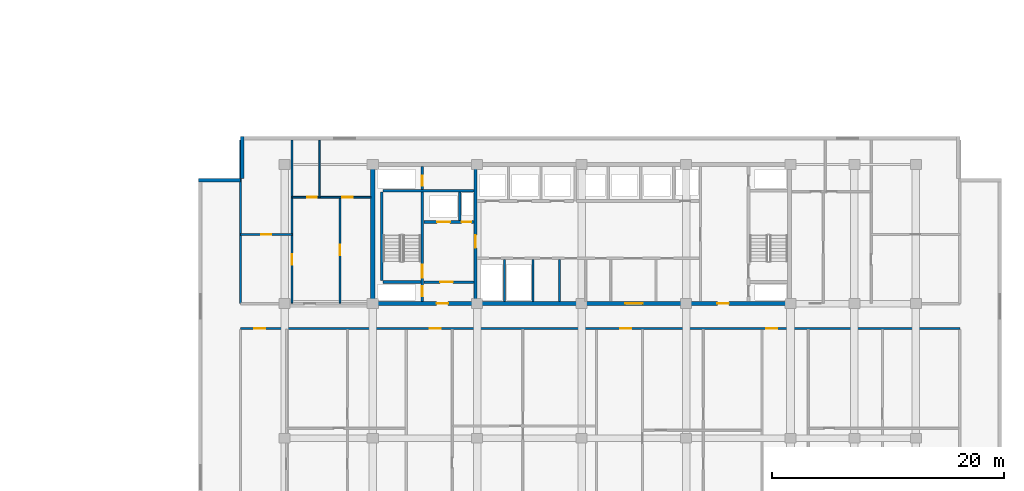
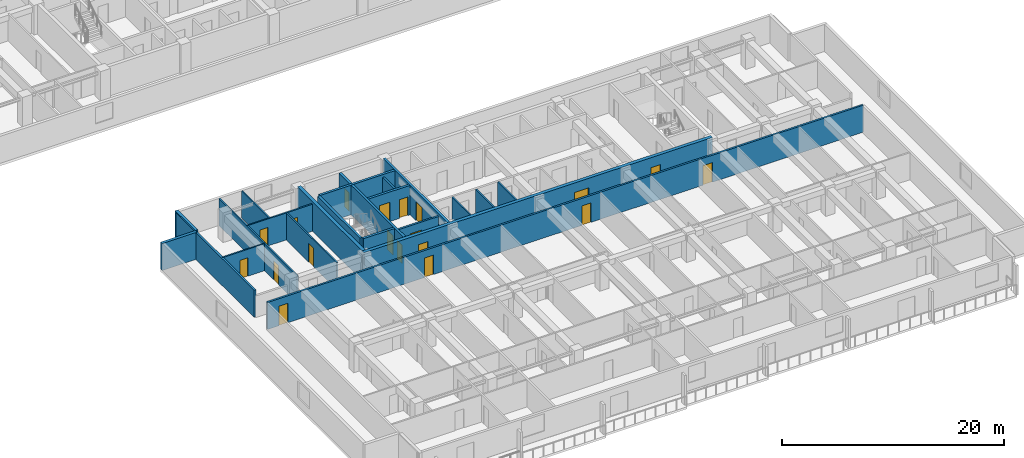
# One storey, part 6 of 23: 22 walls, 19 doors, 19 openings.
"""IFC4 building model written with IfcOpenShell, lengths in metres."""

from ifc_helpers import new_model, si_unit, direction, frame, frame_2d, origin, place, context, subcontext, project, spatial, rectangle, extrude, material, layer, layer_set, type_object, element, fill, save


model = new_model("IFC4")

# Units and contexts
model_context = context("Model", 3, precision=1e-05, world=origin(), true_north=direction((0.0, 1.0)))
body_context = subcontext(model_context, "Body", "Model", "MODEL_VIEW")
ifc_project = project(units=[si_unit("LENGTHUNIT", "METRE"), si_unit("AREAUNIT", "SQUARE_METRE"), si_unit("VOLUMEUNIT", "CUBIC_METRE"), si_unit("PLANEANGLEUNIT", "RADIAN"), si_unit("MASSUNIT", "GRAM", prefix="KILO")], contexts=[model_context])

# Site, building, storey
site_placement = place(None, origin())
site = spatial("IfcSite", under=ifc_project, at=site_placement, CompositionType="ELEMENT")
building_placement = place(site_placement, origin())
building = spatial("IfcBuilding", under=site, at=building_placement, Name="Korimba Cascade Residences", CompositionType="ELEMENT")
storey_placement = place(building_placement, frame((0.0, 0.0, 37.0)))
storey = spatial("IfcBuildingStorey", under=building, at=storey_placement, Name="L09", CompositionType="ELEMENT", Elevation=37.0)

# Walls
ifc_material_1 = material(Name="Precast concrete C40/50", Category="concrete")
ifc_layer_1 = layer(ifc_material_1, 0.300048828125)
ifc_layer_set_1 = layer_set([ifc_layer_1], Name="Precast concrete C40/50")
wall_type_1 = type_object("IfcWallType", Name="EW-STONE-300", PredefinedType="STANDARD", material=ifc_layer_set_1)
wall_1_placement = place(storey_placement, frame((70.85009765625, 32.800048828125, 0.0), z_axis=(0.0, 0.0, 1.0), x_axis=(0.0, -1.0, 0.0)))
element("IfcWall", 1, at=wall_1_placement, inside=storey, type_object=wall_type_1, Name="L09 T2 Perimeter Stone Wall E07", PredefinedType="STANDARD", context=body_context, shape_type="SweptSolid", body=[
    extrude(rectangle(XDim=3.60009765625, YDim=0.300048828125, at=frame_2d((1.800048828125, 0.0))), origin(), (0.0, 0.0, 1.0), 2.969970703125),
])
wall_2_placement = place(storey_placement, frame((70.699951171875, 29.050048828125, 0.0), z_axis=(0.0, 0.0, 1.0), x_axis=(-1.0, 0.0, 0.0)))
element("IfcWall", 2, at=wall_2_placement, inside=storey, type_object=wall_type_1, Name="L09 T2 Perimeter Stone Wall E08", PredefinedType="STANDARD", context=body_context, shape_type="SweptSolid", body=[
    extrude(rectangle(XDim=3.599853515625, YDim=0.300048828125, at=frame_2d((1.7998046875, 0.0))), origin(), (0.0, 0.0, 1.0), 2.969970703125),
])
ifc_material_2 = material(Name="Concrete C65/80", Category="concrete")
ifc_layer_2 = layer(ifc_material_2, 0.35009765625)
ifc_layer_set_2 = layer_set([ifc_layer_2], Name="Concrete C65/80")
wall_type_2 = type_object("IfcWallType", Name="WAL-CORE-350", PredefinedType="SHEAR", material=ifc_layer_set_2)
wall_3_placement = place(storey_placement, frame((82.10009765625, 18.574951171875, 0.0), z_axis=(0.0, 0.0, 1.0), x_axis=(0.0, 1.0, 0.0)))
element("IfcWall", 3, at=wall_3_placement, inside=storey, type_object=wall_type_2, Name="L09 Core Shear Wall CW-L09-T2-W", PredefinedType="SHEAR", context=body_context, shape_type="SweptSolid", body=[
    extrude(rectangle(XDim=11.650146484375, YDim=0.35009765625, at=frame_2d((5.8251953125, 0.0))), origin(), (0.0, 0.0, 1.0), 3.25),
])

# Wall, openings, doors
wall_4_placement = place(storey_placement, frame((81.925048828125, 18.39990234375, 0.0), z_axis=(0.0, 0.0, 1.0), x_axis=(1.0, 0.0, 0.0)))
wall_4 = element("IfcWall", 4, at=wall_4_placement, inside=storey, type_object=wall_type_2, Name="L09 Core Shear Wall CW-L09-T2-S", PredefinedType="SHEAR", context=body_context, shape_type="SweptSolid", body=[
    extrude(rectangle(XDim=36.264892578125, YDim=0.35009765625, at=frame_2d((18.13232421875, 0.0))), origin(), (0.0, 0.0, 1.0), 3.25),
])
opening_1_placement = place(wall_4_placement, frame((5.675048828125, 0.0, 0.0)))
opening_1 = element("IfcOpeningElement", 5, at=opening_1_placement, cuts=wall_4, Name="Opening D-FD5", PredefinedType="OPENING", context=body_context, shape_type="SweptSolid", body=[
    extrude(rectangle(XDim=1.0, YDim=2.14990234375, at=frame_2d((0.5, 1.074951171875))), frame((0.0, 0.18505859375, 0.0), z_axis=(0.0, -1.0, 0.0), x_axis=(1.0, 0.0, 0.0)), (0.0, 0.0, 1.0), 0.3701171875),
])
opening_2_placement = place(wall_4_placement, frame((21.925048828125, 0.0, 0.0)))
opening_2 = element("IfcOpeningElement", 6, at=opening_2_placement, cuts=wall_4, Name="Opening D-FD8", PredefinedType="OPENING", context=body_context, shape_type="SweptSolid", body=[
    extrude(rectangle(XDim=1.5, YDim=2.199951171875, at=frame_2d((0.75, 1.10009765625))), frame((0.0, 0.18505859375, 0.0), z_axis=(0.0, -1.0, 0.0), x_axis=(1.0, 0.0, 0.0)), (0.0, 0.0, 1.0), 0.3701171875),
])
opening_3_placement = place(wall_4_placement, frame((29.875, 0.0, 0.0)))
opening_3 = element("IfcOpeningElement", 7, at=opening_3_placement, cuts=wall_4, Name="Opening D-FD5", PredefinedType="OPENING", context=body_context, shape_type="SweptSolid", body=[
    extrude(rectangle(XDim=1.0, YDim=2.14990234375, at=frame_2d((0.5, 1.074951171875))), frame((0.0, 0.18505859375, 0.0), z_axis=(0.0, -1.0, 0.0), x_axis=(1.0, 0.0, 0.0)), (0.0, 0.0, 1.0), 0.3701171875),
])
ifc_material_3 = material(Name="Fire-Rated Acoustic Timber Vestibule Door", Category="wood")
door_type_1 = type_object("IfcDoorType", Name="DR-FD90-1000", OperationType="NOTDEFINED", PredefinedType="DOOR", material=ifc_material_3)
door_1_placement = place(opening_1_placement, origin())
door_1 = element("IfcDoor", 8, at=door_1_placement, inside=storey, type_object=door_type_1, Name="L09 T2 West Core Vestibule Fire Door", OperationType="SINGLE_SWING_RIGHT", OverallHeight=2.14990234375, OverallWidth=1.0, PredefinedType="DOOR", context=body_context, shape_type="SweptSolid", body=[
    extrude(rectangle(XDim=1.0, YDim=2.14990234375, at=frame_2d((0.5, 1.074951171875))), frame((0.0, 0.02490234375, 0.0), z_axis=(0.0, -1.0, 0.0), x_axis=(1.0, 0.0, 0.0)), (0.0, 0.0, 1.0), 0.050048828125),
])
fill(opening_1, door_1)
door_2_placement = place(opening_3_placement, origin())
door_2 = element("IfcDoor", 9, at=door_2_placement, inside=storey, type_object=door_type_1, Name="L09 T2 East Stair Vestibule Fire Door", OperationType="SINGLE_SWING_LEFT", OverallHeight=2.14990234375, OverallWidth=1.0, PredefinedType="DOOR", context=body_context, shape_type="SweptSolid", body=[
    extrude(rectangle(XDim=1.0, YDim=2.14990234375, at=frame_2d((0.5, 1.074951171875))), frame((0.0, 0.02490234375, 0.0), z_axis=(0.0, -1.0, 0.0), x_axis=(1.0, 0.0, 0.0)), (0.0, 0.0, 1.0), 0.050048828125),
])
fill(opening_3, door_2)
ifc_material_4 = material(Name="Fire-Rated Glazed Lift Lobby Double Door", Category="glass")
door_type_2 = type_object("IfcDoorType", Name="DR-FD90-1500", OperationType="NOTDEFINED", PredefinedType="DOOR", material=ifc_material_4)
door_3_placement = place(opening_2_placement, origin())
door_3 = element("IfcDoor", 10, at=door_3_placement, inside=storey, type_object=door_type_2, Name="L09 T2 Lift Lobby Fire Door", OperationType="DOUBLE_DOOR_SINGLE_SWING", OverallHeight=2.199951171875, OverallWidth=1.5, PredefinedType="DOOR", context=body_context, shape_type="SweptSolid", body=[
    extrude(rectangle(XDim=1.5, YDim=2.199951171875, at=frame_2d((0.75, 1.10009765625))), frame((0.0, 0.02490234375, 0.0), z_axis=(0.0, -1.0, 0.0), x_axis=(1.0, 0.0, 0.0)), (0.0, 0.0, 1.0), 0.050048828125),
])
fill(opening_2, door_3)

# Wall
ifc_layer_3 = layer(ifc_material_1, 0.199951171875)
ifc_layer_set_3 = layer_set([ifc_layer_3], Name="Precast concrete C40/50")
wall_type_3 = type_object("IfcWallType", Name="WAL-IT-200", PredefinedType="PARTITIONING", material=ifc_layer_set_3)
wall_5_placement = place(storey_placement, frame((70.699951171875, 18.39990234375, 0.0), z_axis=(0.0, 0.0, 1.0), x_axis=(0.0, 1.0, 0.0)))
element("IfcWall", 11, at=wall_5_placement, inside=storey, type_object=wall_type_3, Name="L09 Partition Wall WAL-L09-T2-FW-WL", PredefinedType="PARTITIONING", context=body_context, shape_type="SweptSolid", body=[
    extrude(rectangle(XDim=14.10009765625, YDim=0.199951171875, at=frame_2d((7.050048828125, 0.0))), origin(), (0.0, 0.0, 1.0), 2.969970703125),
])

# Wall, openings, doors
wall_6_placement = place(storey_placement, frame((70.699951171875, 16.25, 0.0), z_axis=(0.0, 0.0, 1.0), x_axis=(1.0, 0.0, 0.0)))
wall_6 = element("IfcWall", 12, at=wall_6_placement, inside=storey, type_object=wall_type_3, Name="L09 Partition Wall WAL-L09-T2-CORS", PredefinedType="PARTITIONING", context=body_context, shape_type="SweptSolid", body=[
    extrude(rectangle(XDim=62.0, YDim=0.199951171875, at=frame_2d((31.0, 0.0))), origin(), (0.0, 0.0, 1.0), 2.969970703125),
])
opening_4_placement = place(wall_6_placement, frame((1.18603515625, 0.0, 0.0)))
opening_4 = element("IfcOpeningElement", 13, at=opening_4_placement, cuts=wall_6, Name="Opening D-UN1", PredefinedType="OPENING", context=body_context, shape_type="SweptSolid", body=[
    extrude(rectangle(XDim=0.949951171875, YDim=2.14990234375, at=frame_2d((0.47509765625, 1.074951171875))), frame((0.0, 0.10986328125, 0.0), z_axis=(0.0, -1.0, 0.0), x_axis=(1.0, 0.0, 0.0)), (0.0, 0.0, 1.0), 0.219970703125),
])
opening_5_placement = place(wall_6_placement, frame((16.32080078125, 0.0, 0.0)))
opening_5 = element("IfcOpeningElement", 14, at=opening_5_placement, cuts=wall_6, Name="Opening D-UN1", PredefinedType="OPENING", context=body_context, shape_type="SweptSolid", body=[
    extrude(rectangle(XDim=0.949951171875, YDim=2.14990234375, at=frame_2d((0.47509765625, 1.074951171875))), frame((0.0, 0.10986328125, 0.0), z_axis=(0.0, -1.0, 0.0), x_axis=(1.0, 0.0, 0.0)), (0.0, 0.0, 1.0), 0.219970703125),
])
opening_6_placement = place(wall_6_placement, frame((32.719970703125, 0.0, 0.0)))
opening_6 = element("IfcOpeningElement", 15, at=opening_6_placement, cuts=wall_6, Name="Opening D-UN1", PredefinedType="OPENING", context=body_context, shape_type="SweptSolid", body=[
    extrude(rectangle(XDim=0.949951171875, YDim=2.14990234375, at=frame_2d((0.47509765625, 1.074951171875))), frame((0.0, 0.10986328125, 0.0), z_axis=(0.0, -1.0, 0.0), x_axis=(1.0, 0.0, 0.0)), (0.0, 0.0, 1.0), 0.219970703125),
])
opening_7_placement = place(wall_6_placement, frame((45.32080078125, 0.0, 0.0)))
opening_7 = element("IfcOpeningElement", 16, at=opening_7_placement, cuts=wall_6, Name="Opening D-UN1", PredefinedType="OPENING", context=body_context, shape_type="SweptSolid", body=[
    extrude(rectangle(XDim=0.949951171875, YDim=2.14990234375, at=frame_2d((0.47509765625, 1.074951171875))), frame((0.0, 0.10986328125, 0.0), z_axis=(0.0, -1.0, 0.0), x_axis=(1.0, 0.0, 0.0)), (0.0, 0.0, 1.0), 0.219970703125),
])
ifc_material_5 = material(Name="Fire-Rated Hardwood Apartment Entrance Door", Category="wood")
door_type_3 = type_object("IfcDoorType", Name="DR-FD60-950", OperationType="NOTDEFINED", PredefinedType="DOOR", material=ifc_material_5)
door_4_placement = place(opening_4_placement, origin())
door_4 = element("IfcDoor", 17, at=door_4_placement, inside=storey, type_object=door_type_3, Name="Unit L09-T2-U01 Entrance Door", OperationType="SINGLE_SWING_LEFT", OverallHeight=2.14990234375, OverallWidth=0.949951171875, PredefinedType="DOOR", context=body_context, shape_type="SweptSolid", body=[
    extrude(rectangle(XDim=0.949951171875, YDim=2.14990234375, at=frame_2d((0.47509765625, 1.074951171875))), frame((0.0, 0.02490234375, 0.0), z_axis=(0.0, -1.0, 0.0), x_axis=(1.0, 0.0, 0.0)), (0.0, 0.0, 1.0), 0.050048828125),
])
fill(opening_4, door_4)
door_5_placement = place(opening_5_placement, origin())
door_5 = element("IfcDoor", 18, at=door_5_placement, inside=storey, type_object=door_type_3, Name="Unit L09-T2-U02 Entrance Door", OperationType="SINGLE_SWING_RIGHT", OverallHeight=2.14990234375, OverallWidth=0.949951171875, PredefinedType="DOOR", context=body_context, shape_type="SweptSolid", body=[
    extrude(rectangle(XDim=0.949951171875, YDim=2.14990234375, at=frame_2d((0.47509765625, 1.074951171875))), frame((0.0, 0.02490234375, 0.0), z_axis=(0.0, -1.0, 0.0), x_axis=(1.0, 0.0, 0.0)), (0.0, 0.0, 1.0), 0.050048828125),
])
fill(opening_5, door_5)
door_6_placement = place(opening_6_placement, origin())
door_6 = element("IfcDoor", 19, at=door_6_placement, inside=storey, type_object=door_type_3, Name="Unit L09-T2-U03 Entrance Door", OperationType="SINGLE_SWING_LEFT", OverallHeight=2.14990234375, OverallWidth=0.949951171875, PredefinedType="DOOR", context=body_context, shape_type="SweptSolid", body=[
    extrude(rectangle(XDim=0.949951171875, YDim=2.14990234375, at=frame_2d((0.47509765625, 1.074951171875))), frame((0.0, 0.02490234375, 0.0), z_axis=(0.0, -1.0, 0.0), x_axis=(1.0, 0.0, 0.0)), (0.0, 0.0, 1.0), 0.050048828125),
])
fill(opening_6, door_6)
door_7_placement = place(opening_7_placement, origin())
door_7 = element("IfcDoor", 20, at=door_7_placement, inside=storey, type_object=door_type_3, Name="Unit L09-T2-U04 Entrance Door", OperationType="SINGLE_SWING_RIGHT", OverallHeight=2.14990234375, OverallWidth=0.949951171875, PredefinedType="DOOR", context=body_context, shape_type="SweptSolid", body=[
    extrude(rectangle(XDim=0.949951171875, YDim=2.14990234375, at=frame_2d((0.47509765625, 1.074951171875))), frame((0.0, 0.02490234375, 0.0), z_axis=(0.0, -1.0, 0.0), x_axis=(1.0, 0.0, 0.0)), (0.0, 0.0, 1.0), 0.050048828125),
])
fill(opening_7, door_7)

# Walls
ifc_material_6 = material(Name="Insulated Acoustic Stud Partition", Category="gypsum")
ifc_layer_4 = layer(ifc_material_6, 0.14990234375)
ifc_layer_set_4 = layer_set([ifc_layer_4], Name="Insulated Acoustic Stud Partition")
wall_type_4 = type_object("IfcWallType", Name="WAL-PART-150", PredefinedType="PARTITIONING", material=ifc_layer_set_4)
for number, where, z_axis, x_axis, name in (
    (21, (93.449951171875, 18.60009765625, 0.0), (0.0, 0.0, 1.0), (0.0, 1.0, 0.0), "L09 Partition Wall CW-L09-T2-ERDIV"),
    (22, (95.89990234375, 18.60009765625, 0.0), (0.0, 0.0, 1.0), (0.0, 1.0, 0.0), "L09 Partition Wall CW-L09-T2-PRDIV"),
    (23, (98.199951171875, 18.60009765625, 0.0), (0.0, 0.0, 1.0), (0.0, 1.0, 0.0), "L09 Partition Wall CW-L09-T2-CA1W1"),
):
    element("IfcWall", number, at=place(storey_placement, frame(where, z_axis=z_axis, x_axis=x_axis)), inside=storey, type_object=wall_type_4, Name=name, PredefinedType="PARTITIONING", context=body_context, shape_type="SweptSolid", body=[
        extrude(rectangle(XDim=3.599853515625, YDim=0.14990234375, at=frame_2d((1.7998046875, 0.0))), origin(), (0.0, 0.0, 1.0), 2.969970703125),
    ])

# Wall, opening, door
wall_7_placement = place(storey_placement, frame((70.699951171875, 24.35009765625, 0.0), z_axis=(0.0, 0.0, 1.0), x_axis=(1.0, 0.0, 0.0)))
wall_7 = element("IfcWall", 24, at=wall_7_placement, inside=storey, type_object=wall_type_4, Name="L09 Partition Wall WAL-L09-T2-FW-STH", PredefinedType="PARTITIONING", context=body_context, shape_type="SweptSolid", body=[
    extrude(rectangle(XDim=4.449951171875, YDim=0.14990234375, at=frame_2d((2.22509765625, 0.0))), origin(), (0.0, 0.0, 1.0), 2.969970703125),
])
opening_8_placement = place(wall_7_placement, frame((1.804931640625, 0.0, 0.0)))
opening_8 = element("IfcOpeningElement", 25, at=opening_8_placement, cuts=wall_7, Name="Opening D-BT1", PredefinedType="OPENING", context=body_context, shape_type="SweptSolid", body=[
    extrude(rectangle(XDim=0.840087890625, YDim=2.0400390625, at=frame_2d((0.419921875, 1.02001953125))), frame((0.0, 0.0849609375, 0.0), z_axis=(0.0, -1.0, 0.0), x_axis=(1.0, 0.0, 0.0)), (0.0, 0.0, 1.0), 0.169921875),
])
ifc_material_7 = material(Name="Moisture-Resistant Bathroom Timber Door", Category="wood")
door_type_4 = type_object("IfcDoorType", Name="DR-INT-850", OperationType="NOTDEFINED", PredefinedType="DOOR", material=ifc_material_7)
door_8_placement = place(opening_8_placement, origin())
door_8 = element("IfcDoor", 26, at=door_8_placement, inside=storey, type_object=door_type_4, Name="L09-T2-FW Dressing Store Door", OperationType="SINGLE_SWING_LEFT", OverallHeight=2.0400390625, OverallWidth=0.840087890625, PredefinedType="DOOR", context=body_context, shape_type="SweptSolid", body=[
    extrude(rectangle(XDim=0.840087890625, YDim=2.0400390625, at=frame_2d((0.419921875, 1.02001953125))), frame((0.0, 0.02490234375, 0.0), z_axis=(0.0, -1.0, 0.0), x_axis=(1.0, 0.0, 0.0)), (0.0, 0.0, 1.0), 0.050048828125),
])
fill(opening_8, door_8)

wall_8_placement = place(storey_placement, frame((75.14990234375, 18.449951171875, 0.0), z_axis=(0.0, 0.0, 1.0), x_axis=(0.0, 1.0, 0.0)))
wall_8 = element("IfcWall", 27, at=wall_8_placement, inside=storey, type_object=wall_type_4, Name="L09 Partition Wall WAL-L09-T2-FW-STV", PredefinedType="PARTITIONING", context=body_context, shape_type="SweptSolid", body=[
    extrude(rectangle(XDim=14.050048828125, YDim=0.14990234375, at=frame_2d((7.02490234375, 0.0))), origin(), (0.0, 0.0, 1.0), 2.969970703125),
])
opening_9_placement = place(wall_8_placement, frame((3.320068359375, 0.0, 0.0)))
opening_9 = element("IfcOpeningElement", 28, at=opening_9_placement, cuts=wall_8, Name="Opening D-IN2", PredefinedType="OPENING", context=body_context, shape_type="SweptSolid", body=[
    extrude(rectangle(XDim=0.8798828125, YDim=2.06005859375, at=frame_2d((0.43994140625, 1.030029296875))), frame((0.0, 0.0849609375, 0.0), z_axis=(0.0, -1.0, 0.0), x_axis=(1.0, 0.0, 0.0)), (0.0, 0.0, 1.0), 0.169921875),
])
ifc_material_8 = material(Name="Acoustic Timber Bedroom Door", Category="wood")
door_type_5 = type_object("IfcDoorType", Name="DR-INT-880", OperationType="NOTDEFINED", PredefinedType="DOOR", material=ifc_material_8)
door_9_placement = place(opening_9_placement, origin())
door_9 = element("IfcDoor", 29, at=door_9_placement, inside=storey, type_object=door_type_5, Name="L09-T2-FW Study Door", OperationType="SINGLE_SWING_RIGHT", OverallHeight=2.06005859375, OverallWidth=0.8798828125, PredefinedType="DOOR", context=body_context, shape_type="SweptSolid", body=[
    extrude(rectangle(XDim=0.8798828125, YDim=2.06005859375, at=frame_2d((0.43994140625, 1.030029296875))), frame((0.0, 0.02490234375, 0.0), z_axis=(0.0, -1.0, 0.0), x_axis=(1.0, 0.0, 0.0)), (0.0, 0.0, 1.0), 0.050048828125),
])
fill(opening_9, door_9)

wall_9_placement = place(storey_placement, frame((79.27001953125, 18.449951171875, 0.0), z_axis=(0.0, 0.0, 1.0), x_axis=(0.0, 1.0, 0.0)))
wall_9 = element("IfcWall", 30, at=wall_9_placement, inside=storey, type_object=wall_type_4, Name="L09 Partition Wall WAL-L09-T2-FW-VS", PredefinedType="PARTITIONING", context=body_context, shape_type="SweptSolid", body=[
    extrude(rectangle(XDim=9.1201171875, YDim=0.14990234375, at=frame_2d((4.56005859375, 0.0))), origin(), (0.0, 0.0, 1.0), 2.969970703125),
])
opening_10_placement = place(wall_9_placement, frame((4.10009765625, 0.0, 0.0)))
opening_10 = element("IfcOpeningElement", 31, at=opening_10_placement, cuts=wall_9, Name="Opening D-IN1", PredefinedType="OPENING", context=body_context, shape_type="SweptSolid", body=[
    extrude(rectangle(XDim=0.919921875, YDim=2.080078125, at=frame_2d((0.4599609375, 1.0400390625))), frame((0.0, 0.0849609375, 0.0), z_axis=(0.0, -1.0, 0.0), x_axis=(1.0, 0.0, 0.0)), (0.0, 0.0, 1.0), 0.169921875),
])
ifc_material_9 = material(Name="Acoustic Timber Living Door", Category="wood")
door_type_6 = type_object("IfcDoorType", Name="DR-INT-920", OperationType="NOTDEFINED", PredefinedType="DOOR", material=ifc_material_9)
door_10_placement = place(opening_10_placement, origin())
door_10 = element("IfcDoor", 32, at=door_10_placement, inside=storey, type_object=door_type_6, Name="L09-T2-FW Living Door", OperationType="SINGLE_SWING_LEFT", OverallHeight=2.080078125, OverallWidth=0.919921875, PredefinedType="DOOR", context=body_context, shape_type="SweptSolid", body=[
    extrude(rectangle(XDim=0.919921875, YDim=2.080078125, at=frame_2d((0.4599609375, 1.0400390625))), frame((0.0, 0.02490234375, 0.0), z_axis=(0.0, -1.0, 0.0), x_axis=(1.0, 0.0, 0.0)), (0.0, 0.0, 1.0), 0.050048828125),
])
fill(opening_10, door_10)

# Wall
wall_10_placement = place(storey_placement, frame((77.5, 27.570068359375, 0.0), z_axis=(0.0, 0.0, 1.0), x_axis=(0.0, 1.0, 0.0)))
element("IfcWall", 33, at=wall_10_placement, inside=storey, type_object=wall_type_4, Name="L09 Partition Wall WAL-L09-T2-FW-VN", PredefinedType="PARTITIONING", context=body_context, shape_type="SweptSolid", body=[
    extrude(rectangle(XDim=4.929931640625, YDim=0.14990234375, at=frame_2d((2.46484375, 0.0))), origin(), (0.0, 0.0, 1.0), 2.969970703125),
])

# Wall, openings, doors
wall_11_placement = place(storey_placement, frame((75.169921875, 27.570068359375, 0.0), z_axis=(0.0, 0.0, 1.0), x_axis=(1.0, 0.0, 0.0)))
wall_11 = element("IfcWall", 34, at=wall_11_placement, inside=storey, type_object=wall_type_4, Name="L09 Partition Wall WAL-L09-T2-FW-H", PredefinedType="PARTITIONING", context=body_context, shape_type="SweptSolid", body=[
    extrude(rectangle(XDim=6.760009765625, YDim=0.14990234375, at=frame_2d((3.3798828125, 0.0))), origin(), (0.0, 0.0, 1.0), 2.969970703125),
])
opening_11_placement = place(wall_11_placement, frame((1.266357421875, 0.0, 0.0)))
opening_11 = element("IfcOpeningElement", 35, at=opening_11_placement, cuts=wall_11, Name="Opening D-BT1", PredefinedType="OPENING", context=body_context, shape_type="SweptSolid", body=[
    extrude(rectangle(XDim=0.840087890625, YDim=2.0400390625, at=frame_2d((0.419921875, 1.02001953125))), frame((0.0, 0.0849609375, 0.0), z_axis=(0.0, -1.0, 0.0), x_axis=(1.0, 0.0, 0.0)), (0.0, 0.0, 1.0), 0.169921875),
])
opening_12_placement = place(wall_11_placement, frame((4.320068359375, 0.0, 0.0)))
opening_12 = element("IfcOpeningElement", 36, at=opening_12_placement, cuts=wall_11, Name="Opening D-IN2", PredefinedType="OPENING", context=body_context, shape_type="SweptSolid", body=[
    extrude(rectangle(XDim=0.8798828125, YDim=2.06005859375, at=frame_2d((0.43994140625, 1.030029296875))), frame((0.0, 0.0849609375, 0.0), z_axis=(0.0, -1.0, 0.0), x_axis=(1.0, 0.0, 0.0)), (0.0, 0.0, 1.0), 0.169921875),
])
door_11_placement = place(opening_11_placement, origin())
door_11 = element("IfcDoor", 37, at=door_11_placement, inside=storey, type_object=door_type_4, Name="L09-T2-FW Bathroom Door", OperationType="SINGLE_SWING_RIGHT", OverallHeight=2.0400390625, OverallWidth=0.840087890625, PredefinedType="DOOR", context=body_context, shape_type="SweptSolid", body=[
    extrude(rectangle(XDim=0.840087890625, YDim=2.0400390625, at=frame_2d((0.419921875, 1.02001953125))), frame((0.0, 0.02490234375, 0.0), z_axis=(0.0, -1.0, 0.0), x_axis=(1.0, 0.0, 0.0)), (0.0, 0.0, 1.0), 0.050048828125),
])
fill(opening_11, door_11)
door_12_placement = place(opening_12_placement, origin())
door_12 = element("IfcDoor", 38, at=door_12_placement, inside=storey, type_object=door_type_5, Name="L09-T2-FW Bedroom Door", OperationType="SINGLE_SWING_LEFT", OverallHeight=2.06005859375, OverallWidth=0.8798828125, PredefinedType="DOOR", context=body_context, shape_type="SweptSolid", body=[
    extrude(rectangle(XDim=0.8798828125, YDim=2.06005859375, at=frame_2d((0.43994140625, 1.030029296875))), frame((0.0, 0.02490234375, 0.0), z_axis=(0.0, -1.0, 0.0), x_axis=(1.0, 0.0, 0.0)), (0.0, 0.0, 1.0), 0.050048828125),
])
fill(opening_12, door_12)

# Wall
ifc_material_10 = material(Name="Concrete C40/50", Category="concrete")
ifc_layer_5 = layer(ifc_material_10, 0.199951171875)
ifc_layer_set_5 = layer_set([ifc_layer_5], Name="Concrete C40/50")
wall_type_5 = type_object("IfcWallType", Name="WAL-PART-200", PredefinedType="PARTITIONING", material=ifc_layer_set_5)
wall_12_placement = place(storey_placement, frame((89.60009765625, 25.580078125, 0.0), z_axis=(0.0, 0.0, 1.0), x_axis=(0.0, 1.0, 0.0)))
element("IfcWall", 39, at=wall_12_placement, inside=storey, type_object=wall_type_5, Name="L09 Partition Wall CW-L09-T2-FFLDIV", PredefinedType="PARTITIONING", context=body_context, shape_type="SweptSolid", body=[
    extrude(rectangle(XDim=2.419921875, YDim=0.199951171875, at=frame_2d((1.2099609375, 0.0))), origin(), (0.0, 0.0, 1.0), 2.969970703125),
])

# Wall, opening, door
wall_13_placement = place(storey_placement, frame((86.5, 20.25, 0.0), z_axis=(0.0, 0.0, 1.0), x_axis=(1.0, 0.0, 0.0)))
wall_13 = element("IfcWall", 40, at=wall_13_placement, inside=storey, type_object=wall_type_5, Name="L09 Partition Wall CW-L09-T2-FFLS", PredefinedType="PARTITIONING", context=body_context, shape_type="SweptSolid", body=[
    extrude(rectangle(XDim=4.320068359375, YDim=0.199951171875, at=frame_2d((2.16015625, 0.0))), origin(), (0.0, 0.0, 1.0), 2.969970703125),
])
opening_13_placement = place(wall_13_placement, frame((1.39990234375, 0.0, 0.0)))
opening_13 = element("IfcOpeningElement", 41, at=opening_13_placement, cuts=wall_13, Name="Opening D-FD1", PredefinedType="OPENING", context=body_context, shape_type="SweptSolid", body=[
    extrude(rectangle(XDim=1.10009765625, YDim=2.10009765625, at=frame_2d((0.550048828125, 1.050048828125))), frame((0.0, 0.10986328125, 0.0), z_axis=(0.0, -1.0, 0.0), x_axis=(1.0, 0.0, 0.0)), (0.0, 0.0, 1.0), 0.219970703125),
])
ifc_material_11 = material(Name="Fire-Rated Steel Core Door", Category="steel")
door_type_7 = type_object("IfcDoorType", Name="DR-FD120-1100", OperationType="NOTDEFINED", PredefinedType="DOOR", material=ifc_material_11)
door_13_placement = place(opening_13_placement, origin())
door_13 = element("IfcDoor", 42, at=door_13_placement, inside=storey, type_object=door_type_7, Name="L09 T2 Firefighting Lobby Door", OperationType="SINGLE_SWING_RIGHT", OverallHeight=2.10009765625, OverallWidth=1.10009765625, PredefinedType="DOOR", context=body_context, shape_type="SweptSolid", body=[
    extrude(rectangle(XDim=1.10009765625, YDim=2.10009765625, at=frame_2d((0.550048828125, 1.050048828125))), frame((0.0, 0.02490234375, 0.0), z_axis=(0.0, -1.0, 0.0), x_axis=(1.0, 0.0, 0.0)), (0.0, 0.0, 1.0), 0.050048828125),
])
fill(opening_13, door_13)

# Wall
ifc_material_12 = material(Name="Concrete C50/60", Category="concrete")
ifc_layer_6 = layer(ifc_material_12, 0.25)
ifc_layer_set_6 = layer_set([ifc_layer_6], Name="Concrete C50/60")
wall_type_6 = type_object("IfcWallType", Name="WAL-SHAFT-250", PredefinedType="SHEAR", material=ifc_layer_set_6)
wall_14_placement = place(storey_placement, frame((82.875, 20.39990234375, 0.0), z_axis=(0.0, 0.0, 1.0), x_axis=(0.0, 1.0, 0.0)))
element("IfcWall", 43, at=wall_14_placement, inside=storey, type_object=wall_type_6, Name="L09 Core Shear Wall CW-L09-T2-STE1W", PredefinedType="SHEAR", context=body_context, shape_type="SweptSolid", body=[
    extrude(rectangle(XDim=7.60009765625, YDim=0.25, at=frame_2d((3.800048828125, 0.0))), origin(), (0.0, 0.0, 1.0), 3.25),
])

# Wall, openings, doors
wall_15_placement = place(storey_placement, frame((86.364990234375, 18.60009765625, 0.0), z_axis=(0.0, 0.0, 1.0), x_axis=(0.0, 1.0, 0.0)))
wall_15 = element("IfcWall", 44, at=wall_15_placement, inside=storey, type_object=wall_type_6, Name="L09 Core Shear Wall CW-L09-T2-STE1E", PredefinedType="SHEAR", context=body_context, shape_type="SweptSolid", body=[
    extrude(rectangle(XDim=11.599853515625, YDim=0.25, at=frame_2d((5.7998046875, 0.0))), origin(), (0.0, 0.0, 1.0), 3.25),
])
opening_14_placement = place(wall_15_placement, frame((0.449951171875, 0.0, 0.0)))
opening_14 = element("IfcOpeningElement", 45, at=opening_14_placement, cuts=wall_15, Name="Opening D-RS1", PredefinedType="OPENING", context=body_context, shape_type="SweptSolid", body=[
    extrude(rectangle(XDim=0.85009765625, YDim=2.050048828125, at=frame_2d((0.425048828125, 1.02490234375))), frame((0.0, 0.135009765625, 0.0), z_axis=(0.0, -1.0, 0.0), x_axis=(1.0, 0.0, 0.0)), (0.0, 0.0, 1.0), 0.27001953125),
])
opening_15_placement = place(wall_15_placement, frame((2.050048828125, 0.0, 0.0)))
opening_15 = element("IfcOpeningElement", 46, at=opening_15_placement, cuts=wall_15, Name="Opening D-FD1", PredefinedType="OPENING", context=body_context, shape_type="SweptSolid", body=[
    extrude(rectangle(XDim=1.10009765625, YDim=2.10009765625, at=frame_2d((0.550048828125, 1.050048828125))), frame((0.0, 0.135009765625, 0.0), z_axis=(0.0, -1.0, 0.0), x_axis=(1.0, 0.0, 0.0)), (0.0, 0.0, 1.0), 0.27001953125),
])
opening_16_placement = place(wall_15_placement, frame((9.949951171875, 0.0, 0.0)))
opening_16 = element("IfcOpeningElement", 47, at=opening_16_placement, cuts=wall_15, Name="Opening D-RS1", PredefinedType="OPENING", context=body_context, shape_type="SweptSolid", body=[
    extrude(rectangle(XDim=0.85009765625, YDim=2.050048828125, at=frame_2d((0.425048828125, 1.02490234375))), frame((0.0, 0.135009765625, 0.0), z_axis=(0.0, -1.0, 0.0), x_axis=(1.0, 0.0, 0.0)), (0.0, 0.0, 1.0), 0.27001953125),
])
door_14_placement = place(opening_15_placement, origin())
door_14 = element("IfcDoor", 48, at=door_14_placement, inside=storey, type_object=door_type_7, Name="L09 Fire Stair ST-E1 Door", OperationType="SINGLE_SWING_LEFT", OverallHeight=2.10009765625, OverallWidth=1.10009765625, PredefinedType="DOOR", context=body_context, shape_type="SweptSolid", body=[
    extrude(rectangle(XDim=1.10009765625, YDim=2.10009765625, at=frame_2d((0.550048828125, 1.050048828125))), frame((0.0, 0.02490234375, 0.0), z_axis=(0.0, -1.0, 0.0), x_axis=(1.0, 0.0, 0.0)), (0.0, 0.0, 1.0), 0.050048828125),
])
fill(opening_15, door_14)
ifc_material_13 = material(Name="Fire-Rated Steel Riser Access Door", Category="steel")
door_type_8 = type_object("IfcDoorType", Name="DR-FD60-850", OperationType="NOTDEFINED", PredefinedType="DOOR", material=ifc_material_13)
door_15_placement = place(opening_14_placement, origin())
door_15 = element("IfcDoor", 49, at=door_15_placement, inside=storey, type_object=door_type_8, Name="L09 T2 Hydrant Riser Door", OperationType="SINGLE_SWING_RIGHT", OverallHeight=2.050048828125, OverallWidth=0.85009765625, PredefinedType="DOOR", context=body_context, shape_type="SweptSolid", body=[
    extrude(rectangle(XDim=0.85009765625, YDim=2.050048828125, at=frame_2d((0.425048828125, 1.02490234375))), frame((0.0, 0.02490234375, 0.0), z_axis=(0.0, -1.0, 0.0), x_axis=(1.0, 0.0, 0.0)), (0.0, 0.0, 1.0), 0.050048828125),
])
fill(opening_14, door_15)
door_16_placement = place(opening_16_placement, origin())
door_16 = element("IfcDoor", 50, at=door_16_placement, inside=storey, type_object=door_type_8, Name="L09 T2 Smoke Shaft Door", OperationType="SINGLE_SWING_RIGHT", OverallHeight=2.050048828125, OverallWidth=0.85009765625, PredefinedType="DOOR", context=body_context, shape_type="SweptSolid", body=[
    extrude(rectangle(XDim=0.85009765625, YDim=2.050048828125, at=frame_2d((0.425048828125, 1.02490234375))), frame((0.0, 0.02490234375, 0.0), z_axis=(0.0, -1.0, 0.0), x_axis=(1.0, 0.0, 0.0)), (0.0, 0.0, 1.0), 0.050048828125),
])
fill(opening_16, door_16)

# Walls
wall_16_placement = place(storey_placement, frame((83.0, 20.27490234375, 0.0), z_axis=(0.0, 0.0, 1.0), x_axis=(1.0, 0.0, 0.0)))
element("IfcWall", 51, at=wall_16_placement, inside=storey, type_object=wall_type_6, Name="L09 Core Shear Wall CW-L09-T2-STE1S", PredefinedType="SHEAR", context=body_context, shape_type="SweptSolid", body=[
    extrude(rectangle(XDim=3.239990234375, YDim=0.25, at=frame_2d((1.6201171875, 0.0))), origin(), (0.0, 0.0, 1.0), 3.25),
])
wall_17_placement = place(storey_placement, frame((83.0, 28.125, 0.0), z_axis=(0.0, 0.0, 1.0), x_axis=(1.0, 0.0, 0.0)))
element("IfcWall", 52, at=wall_17_placement, inside=storey, type_object=wall_type_6, Name="L09 Core Shear Wall CW-L09-T2-STE1N", PredefinedType="SHEAR", context=body_context, shape_type="SweptSolid", body=[
    extrude(rectangle(XDim=7.820068359375, YDim=0.25, at=frame_2d((3.91015625, 0.0))), origin(), (0.0, 0.0, 1.0), 3.25),
])

# Wall, openings, doors
wall_18_placement = place(storey_placement, frame((86.5, 25.449951171875, 0.0), z_axis=(0.0, 0.0, 1.0), x_axis=(1.0, 0.0, 0.0)))
wall_18 = element("IfcWall", 53, at=wall_18_placement, inside=storey, type_object=wall_type_6, Name="L09 Core Shear Wall CW-L09-T2-FFLN", PredefinedType="SHEAR", context=body_context, shape_type="SweptSolid", body=[
    extrude(rectangle(XDim=4.320068359375, YDim=0.25, at=frame_2d((2.16015625, 0.0))), origin(), (0.0, 0.0, 1.0), 3.25),
])
opening_17_placement = place(wall_18_placement, frame((1.139892578125, 0.0, 0.0)))
opening_17 = element("IfcOpeningElement", 54, at=opening_17_placement, cuts=wall_18, Name="Opening LD-01", PredefinedType="OPENING", context=body_context, shape_type="SweptSolid", body=[
    extrude(rectangle(XDim=1.1201171875, YDim=2.1201171875, at=frame_2d((0.56005859375, 1.06005859375))), frame((0.0, 0.135009765625, 0.0), z_axis=(0.0, -1.0, 0.0), x_axis=(1.0, 0.0, 0.0)), (0.0, 0.0, 1.0), 0.27001953125),
])
opening_18_placement = place(wall_18_placement, frame((3.25, 0.0, 0.0)))
opening_18 = element("IfcOpeningElement", 55, at=opening_18_placement, cuts=wall_18, Name="Opening D-RS1", PredefinedType="OPENING", context=body_context, shape_type="SweptSolid", body=[
    extrude(rectangle(XDim=0.85009765625, YDim=2.050048828125, at=frame_2d((0.425048828125, 1.02490234375))), frame((0.0, 0.135009765625, 0.0), z_axis=(0.0, -1.0, 0.0), x_axis=(1.0, 0.0, 0.0)), (0.0, 0.0, 1.0), 0.27001953125),
])
door_17_placement = place(opening_18_placement, origin())
door_17 = element("IfcDoor", 56, at=door_17_placement, inside=storey, type_object=door_type_8, Name="L09 T2 Pressurisation Riser Door", OperationType="SINGLE_SWING_LEFT", OverallHeight=2.050048828125, OverallWidth=0.85009765625, PredefinedType="DOOR", context=body_context, shape_type="SweptSolid", body=[
    extrude(rectangle(XDim=0.85009765625, YDim=2.050048828125, at=frame_2d((0.425048828125, 1.02490234375))), frame((0.0, 0.02490234375, 0.0), z_axis=(0.0, -1.0, 0.0), x_axis=(1.0, 0.0, 0.0)), (0.0, 0.0, 1.0), 0.050048828125),
])
fill(opening_18, door_17)
ifc_material_14 = material(Name="Stainless Steel Lift Landing Sliding Door", Category="steel")
door_type_9 = type_object("IfcDoorType", Name="DR-LIFT-1100", OperationType="NOTDEFINED", PredefinedType="DOOR", material=ifc_material_14)
door_18_placement = place(opening_17_placement, origin())
door_18 = element("IfcDoor", 57, at=door_18_placement, inside=storey, type_object=door_type_9, Name="L09 Firefighting Lift Landing Door FFL-E1", OperationType="SLIDING_TO_RIGHT", OverallHeight=2.1201171875, OverallWidth=1.1201171875, PredefinedType="DOOR", context=body_context, shape_type="SweptSolid", body=[
    extrude(rectangle(XDim=1.1201171875, YDim=2.1201171875, at=frame_2d((0.56005859375, 1.06005859375))), frame((0.0, 0.02490234375, 0.0), z_axis=(0.0, -1.0, 0.0), x_axis=(1.0, 0.0, 0.0)), (0.0, 0.0, 1.0), 0.050048828125),
])
fill(opening_17, door_18)

# Wall, opening, door
wall_19_placement = place(storey_placement, frame((90.949951171875, 18.60009765625, 0.0), z_axis=(0.0, 0.0, 1.0), x_axis=(0.0, 1.0, 0.0)))
wall_19 = element("IfcWall", 58, at=wall_19_placement, inside=storey, type_object=wall_type_6, Name="L09 Core Shear Wall CW-L09-T2-FFLE", PredefinedType="SHEAR", context=body_context, shape_type="SweptSolid", body=[
    extrude(rectangle(XDim=11.599853515625, YDim=0.25, at=frame_2d((5.7998046875, 0.0))), origin(), (0.0, 0.0, 1.0), 3.25),
])
opening_19_placement = place(wall_19_placement, frame((4.60009765625, 0.0, 0.0)))
opening_19 = element("IfcOpeningElement", 59, at=opening_19_placement, cuts=wall_19, Name="Opening D-FD1", PredefinedType="OPENING", context=body_context, shape_type="SweptSolid", body=[
    extrude(rectangle(XDim=1.10009765625, YDim=2.10009765625, at=frame_2d((0.550048828125, 1.050048828125))), frame((0.0, 0.135009765625, 0.0), z_axis=(0.0, -1.0, 0.0), x_axis=(1.0, 0.0, 0.0)), (0.0, 0.0, 1.0), 0.27001953125),
])
door_19_placement = place(opening_19_placement, origin())
door_19 = element("IfcDoor", 60, at=door_19_placement, inside=storey, type_object=door_type_7, Name="L09 T2 Firefighting Lobby to Lift Lobby Door", OperationType="SINGLE_SWING_LEFT", OverallHeight=2.10009765625, OverallWidth=1.10009765625, PredefinedType="DOOR", context=body_context, shape_type="SweptSolid", body=[
    extrude(rectangle(XDim=1.10009765625, YDim=2.10009765625, at=frame_2d((0.550048828125, 1.050048828125))), frame((0.0, 0.02490234375, 0.0), z_axis=(0.0, -1.0, 0.0), x_axis=(1.0, 0.0, 0.0)), (0.0, 0.0, 1.0), 0.050048828125),
])
fill(opening_19, door_19)

save(model, "model.ifc")
